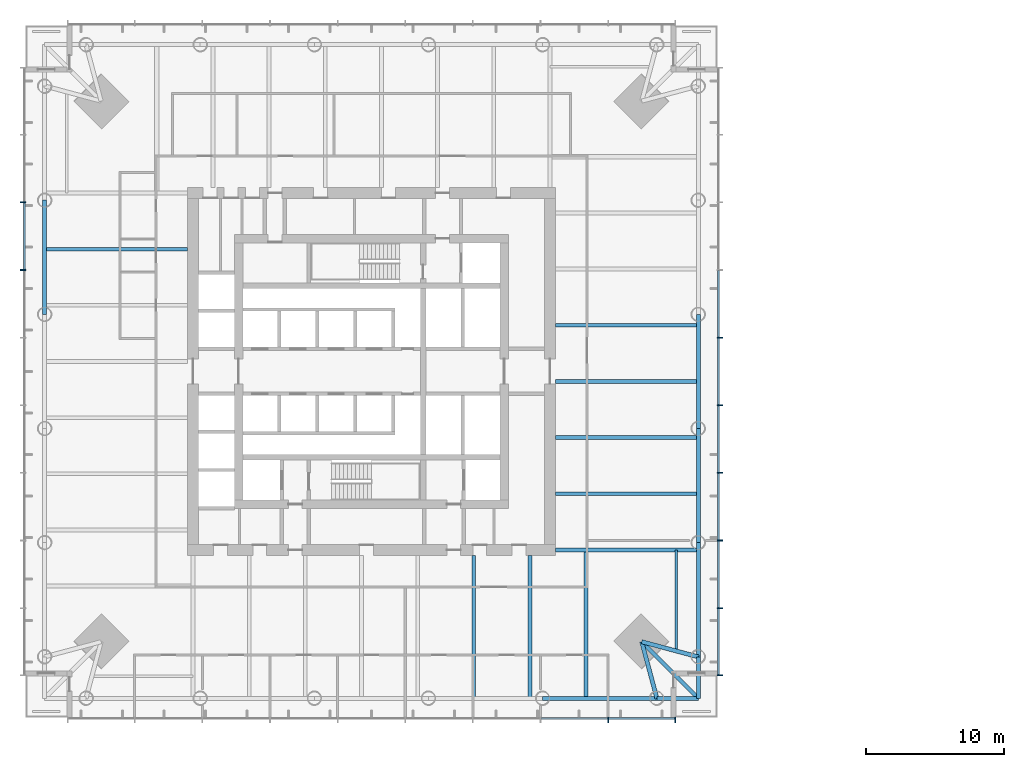
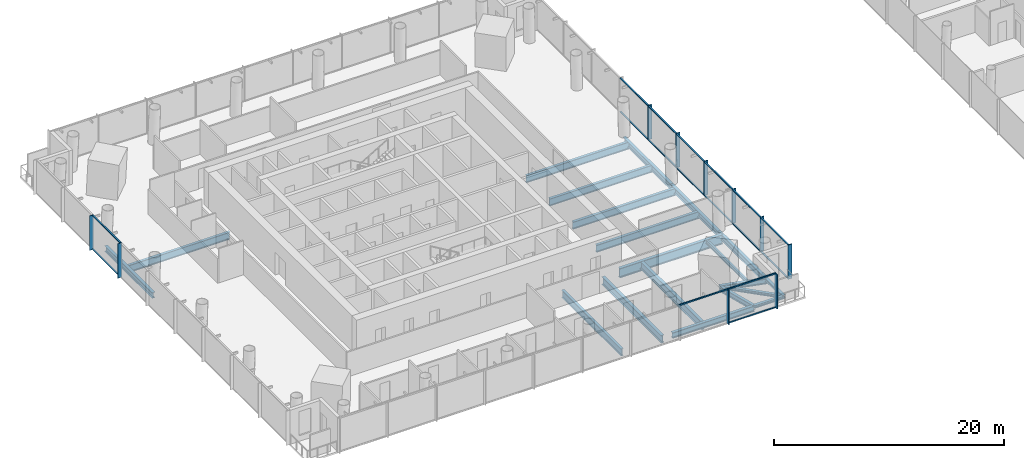
# One storey, part 3 of 21: 27 members, 20 beams, 3 elements without a shape of their own.
"""IFC4 building model written with IfcOpenShell, lengths in metres."""

from ifc_helpers import new_model, si_unit, direction, frame, origin, origin_2d, place, context, subcontext, project, spatial, rectangle, i_section, extrude, material, material_profile, profile_set, type_object, element, aggregate, save


model = new_model("IFC4")

# Units and contexts
model_context = context("Model", 3, precision=1e-05, world=origin(), true_north=direction((0.0, 1.0)))
body_context = subcontext(model_context, "Body", "Model", "MODEL_VIEW")
ifc_project = project(units=[si_unit("LENGTHUNIT", "METRE"), si_unit("AREAUNIT", "SQUARE_METRE"), si_unit("VOLUMEUNIT", "CUBIC_METRE"), si_unit("PLANEANGLEUNIT", "RADIAN"), si_unit("MASSUNIT", "GRAM", prefix="KILO")], contexts=[model_context])

# Site, building, storey
site_placement = place(None, origin())
site = spatial("IfcSite", under=ifc_project, at=site_placement, CompositionType="ELEMENT")
building_placement = place(site_placement, origin())
building = spatial("IfcBuilding", under=site, at=building_placement, Name="Ostroluk Exchange", CompositionType="ELEMENT")
storey_placement = place(building_placement, frame((0.0, 0.0, 32.39990234375)))
storey = spatial("IfcBuildingStorey", under=building, at=storey_placement, Name="L07", CompositionType="ELEMENT", Elevation=32.39990234375)

# Beams
ifc_material_1 = material(Name="Steel S355", Category="steel")
ifc_material_profile_1 = material_profile(ifc_material_1, i_section(OverallWidth=0.300048828125, OverallDepth=0.300048828125, WebThickness=0.010986328125, FlangeThickness=0.01904296875, FilletRadius=0.027099609375, at=origin_2d()), Name="HEB 300")
ifc_profile_set_1 = profile_set([ifc_material_profile_1], Name="Steel S355")
beam_type_1 = type_object("IfcBeamType", Name="Balcony beam HEB 300", PredefinedType="BEAM", material=ifc_profile_set_1)
for number, where, z_axis, x_axis, name in (
    (1, (65.6357421875, 22.3642578125, -0.329833984375), (1.0, 0.0, 0.0), (0.0, 1.0, 0.0), "T1 south balcony beam a"),
    (2, (68.6357421875, 25.3642578125, -0.329833984375), (0.0, -1.0, 0.0), (1.0, 0.0, 0.0), "T1 south balcony beam b"),
):
    element("IfcBeam", number, at=place(storey_placement, frame(where, z_axis=z_axis, x_axis=x_axis)), inside=storey, type_object=beam_type_1, Name=name, PredefinedType="BEAM", context=body_context, shape_type="SweptSolid", body=[
        extrude(i_section(OverallWidth=0.300048828125, OverallDepth=0.300048828125, WebThickness=0.010986328125, FlangeThickness=0.01904296875, FilletRadius=0.027099609375, at=origin_2d()), origin(), (0.0, 0.0, 1.0), 3.0),
    ])
beam_1_placement = place(storey_placement, frame((64.53564453125, 26.46435546875, -0.329833984375), z_axis=(0.707106781187, -0.707106781187, 0.0), x_axis=(0.707106781187, 0.707106781187, 0.0)))
element("IfcBeam", 3, at=beam_1_placement, inside=storey, type_object=beam_type_1, Name="T1 south balcony beam c", PredefinedType="BEAM", context=body_context, shape_type="SweptSolid", body=[
    extrude(i_section(OverallWidth=0.300048828125, OverallDepth=0.300048828125, WebThickness=0.010986328125, FlangeThickness=0.01904296875, FilletRadius=0.027099609375, at=origin_2d()), origin(), (0.0, 0.0, 1.0), 5.79833984375),
])
ifc_material_2 = material(Name="Steel S355", Category="steel")
ifc_material_profile_2 = material_profile(ifc_material_2, i_section(OverallWidth=0.300048828125, OverallDepth=0.550048828125, WebThickness=0.014892578125, FlangeThickness=0.029052734375, FilletRadius=0.027099609375, at=origin_2d()), Name="HEB 550")
ifc_profile_set_2 = profile_set([ifc_material_profile_2], Name="Steel S355")
beam_type_2 = type_object("IfcBeamType", Name="Corner edge beam HEB 550", PredefinedType="SPANDREL", material=ifc_profile_set_2)
for number, where, z_axis, x_axis, name in (
    (4, (64.53564453125, 26.46435546875, -0.454833984375), (0.259144268261, -0.965838624319, 0.0), (0.965838624319, 0.259144268261, 0.0), "T1 south corner edge beam a"),
    (5, (64.53564453125, 26.46435546875, -0.454833984375), (0.965838624319, -0.259144268261, 0.0), (0.259144268261, 0.965838624319, 0.0), "T1 south corner edge beam b"),
):
    element("IfcBeam", number, at=place(storey_placement, frame(where, z_axis=z_axis, x_axis=x_axis)), inside=storey, type_object=beam_type_2, Name=name, PredefinedType="SPANDREL", context=body_context, shape_type="SweptSolid", body=[
        extrude(i_section(OverallWidth=0.300048828125, OverallDepth=0.550048828125, WebThickness=0.014892578125, FlangeThickness=0.029052734375, FilletRadius=0.027099609375, at=origin_2d()), origin(), (0.0, 0.0, 1.0), 4.2451171875),
    ])
ifc_material_3 = material(Name="Steel S355", Category="steel")
ifc_material_profile_3 = material_profile(ifc_material_3, i_section(OverallWidth=0.302978515625, OverallDepth=0.81396484375, WebThickness=0.02099609375, FlangeThickness=0.0400390625, FilletRadius=0.030029296875, at=origin_2d()), Name="HEM 800")
ifc_profile_set_3 = profile_set([ifc_material_profile_3], Name="Steel S355")
beam_type_3 = type_object("IfcBeamType", Name="Floor beam HEM 800", PredefinedType="BEAM", material=ifc_profile_set_3)
beam_2_placement = place(storey_placement, frame((56.45703125, 32.699951171875, -0.5869140625), z_axis=(0.0, -1.0, 0.0), x_axis=(1.0, 0.0, 0.0)))
element("IfcBeam", 6, at=beam_2_placement, inside=storey, type_object=beam_type_3, Name="T1 south floor beam 6", PredefinedType="BEAM", context=body_context, shape_type="SweptSolid", body=[
    extrude(i_section(OverallWidth=0.302978515625, OverallDepth=0.81396484375, WebThickness=0.02099609375, FlangeThickness=0.0400390625, FilletRadius=0.030029296875, at=origin_2d()), origin(), (0.0, 0.0, 1.0), 10.335693359375),
])
beam_3_placement = place(storey_placement, frame((60.5166015625, 33.10009765625, -0.5869140625), z_axis=(0.0, -1.0, 0.0), x_axis=(1.0, 0.0, 0.0)))
element("IfcBeam", 7, at=beam_3_placement, inside=storey, type_object=beam_type_3, Name="T1 south floor beam 7", PredefinedType="BEAM", context=body_context, shape_type="SweptSolid", body=[
    extrude(i_section(OverallWidth=0.302978515625, OverallDepth=0.81396484375, WebThickness=0.02099609375, FlangeThickness=0.0400390625, FilletRadius=0.030029296875, at=origin_2d()), origin(), (0.0, 0.0, 1.0), 10.73583984375),
])
ifc_material_4 = material(Name="Steel S355", Category="steel")
ifc_material_profile_4 = material_profile(ifc_material_4, i_section(OverallWidth=0.179931640625, OverallDepth=0.39990234375, WebThickness=0.008544921875, FlangeThickness=0.013427734375, FilletRadius=0.02099609375, at=origin_2d()), Name="IPE 400")
ifc_profile_set_4 = profile_set([ifc_material_profile_4], Name="Steel S355")
beam_type_4 = type_object("IfcBeamType", Name="Floor beam IPE 400", PredefinedType="BEAM", material=ifc_profile_set_4)
beam_4_placement = place(storey_placement, frame((67.03564453125, 33.10009765625, -0.3798828125), z_axis=(0.0, -1.0, 0.0), x_axis=(1.0, 0.0, 0.0)))
element("IfcBeam", 8, at=beam_4_placement, inside=storey, type_object=beam_type_4, Name="T1 south floor beam 8", PredefinedType="BEAM", context=body_context, shape_type="SweptSolid", body=[
    extrude(i_section(OverallWidth=0.179931640625, OverallDepth=0.39990234375, WebThickness=0.008544921875, FlangeThickness=0.013427734375, FilletRadius=0.02099609375, at=origin_2d()), origin(), (0.0, 0.0, 1.0), 7.306640625),
])
ifc_material_5 = material(Name="Steel S355", Category="steel")
ifc_material_profile_5 = material_profile(ifc_material_5, i_section(OverallWidth=0.26806640625, OverallDepth=0.77001953125, WebThickness=0.015625, FlangeThickness=0.025390625, FilletRadius=0.01708984375, at=origin_2d()), Name="IPE 750x196")
ifc_profile_set_5 = profile_set([ifc_material_profile_5], Name="Steel S355")
beam_type_5 = type_object("IfcBeamType", Name="Floor beam IPE 750x196", PredefinedType="BEAM", material=ifc_profile_set_5)
for number, where, z_axis, x_axis, name in (
    (9, (58.300048828125, 37.159423828125, -0.56494140625), (1.0, 0.0, 0.0), (0.0, 1.0, 0.0), "T1 east floor beam 1"),
    (10, (58.300048828125, 41.218994140625, -0.56494140625), (1.0, 0.0, 0.0), (0.0, 1.0, 0.0), "T1 east floor beam 2"),
    (11, (58.300048828125, 45.278564453125, -0.56494140625), (1.0, 0.0, 0.0), (0.0, 1.0, 0.0), "T1 east floor beam 3"),
    (12, (58.300048828125, 49.338134765625, -0.56494140625), (1.0, 0.0, 0.0), (0.0, 1.0, 0.0), "T1 east floor beam 4"),
    (13, (31.699951171875, 54.840576171875, -0.56494140625), (-1.0, 0.0, 0.0), (0.0, -1.0, 0.0), "T1 west floor beam 1"),
    (14, (52.397705078125, 32.699951171875, -0.56494140625), (0.0, -1.0, 0.0), (1.0, 0.0, 0.0), "T1 south floor beam 5"),
):
    element("IfcBeam", number, at=place(storey_placement, frame(where, z_axis=z_axis, x_axis=x_axis)), inside=storey, type_object=beam_type_5, Name=name, PredefinedType="BEAM", context=body_context, shape_type="SweptSolid", body=[
        extrude(i_section(OverallWidth=0.26806640625, OverallDepth=0.77001953125, WebThickness=0.015625, FlangeThickness=0.025390625, FilletRadius=0.01708984375, at=origin_2d()), origin(), (0.0, 0.0, 1.0), 10.335693359375),
    ])
ifc_material_6 = material(Name="Steel S355", Category="steel")
ifc_material_profile_6 = material_profile(ifc_material_6, i_section(OverallWidth=0.302001953125, OverallDepth=1.008056640625, WebThickness=0.02099609375, FlangeThickness=0.0400390625, FilletRadius=0.030029296875, at=origin_2d()), Name="HEM 1000")
ifc_profile_set_6 = profile_set([ifc_material_profile_6], Name="Steel S355")
beam_type_6 = type_object("IfcBeamType", Name="Girder HEM 1000", PredefinedType="BEAM", material=ifc_profile_set_6)
beam_5_placement = place(storey_placement, frame((58.300048828125, 33.10009765625, -0.683837890625), z_axis=(1.0, 0.0, 0.0), x_axis=(0.0, 1.0, 0.0)))
element("IfcBeam", 15, at=beam_5_placement, inside=storey, type_object=beam_type_6, Name="T1 south girder", PredefinedType="BEAM", context=body_context, shape_type="SweptSolid", body=[
    extrude(i_section(OverallWidth=0.302001953125, OverallDepth=1.008056640625, WebThickness=0.02099609375, FlangeThickness=0.0400390625, FilletRadius=0.030029296875, at=origin_2d()), origin(), (0.0, 0.0, 1.0), 10.335693359375),
])
ifc_material_7 = material(Name="Steel S355", Category="steel")
ifc_material_profile_7 = material_profile(ifc_material_7, i_section(OverallWidth=0.300048828125, OverallDepth=0.60009765625, WebThickness=0.015380859375, FlangeThickness=0.030029296875, FilletRadius=0.027099609375, at=origin_2d()), Name="HEB 600")
ifc_profile_set_7 = profile_set([ifc_material_profile_7], Name="Steel S355")
beam_type_7 = type_object("IfcBeamType", Name="Moment-connected edge beam HEB 600", PredefinedType="SPANDREL", material=ifc_profile_set_7)
beam_6_placement = place(storey_placement, frame((68.6357421875, 25.3642578125, -0.47998046875), z_axis=(0.0, 1.0, 0.0), x_axis=(-1.0, 0.0, 0.0)))
element("IfcBeam", 16, at=beam_6_placement, inside=storey, type_object=beam_type_7, Name="T1 east edge beam 1", PredefinedType="SPANDREL", context=body_context, shape_type="SweptSolid", body=[
    extrude(i_section(OverallWidth=0.300048828125, OverallDepth=0.60009765625, WebThickness=0.015380859375, FlangeThickness=0.030029296875, FilletRadius=0.027099609375, at=origin_2d()), origin(), (0.0, 0.0, 1.0), 8.25439453125),
])
beam_7_placement = place(storey_placement, frame((68.6357421875, 33.61865234375, -0.47998046875), z_axis=(0.0, 1.0, 0.0), x_axis=(-1.0, 0.0, 0.0)))
element("IfcBeam", 17, at=beam_7_placement, inside=storey, type_object=beam_type_7, Name="T1 east edge beam 2", PredefinedType="SPANDREL", context=body_context, shape_type="SweptSolid", body=[
    extrude(i_section(OverallWidth=0.300048828125, OverallDepth=0.60009765625, WebThickness=0.015380859375, FlangeThickness=0.030029296875, FilletRadius=0.027099609375, at=origin_2d()), origin(), (0.0, 0.0, 1.0), 8.254150390625),
])
beam_8_placement = place(storey_placement, frame((68.6357421875, 41.872802734375, -0.47998046875), z_axis=(0.0, 1.0, 0.0), x_axis=(-1.0, 0.0, 0.0)))
element("IfcBeam", 18, at=beam_8_placement, inside=storey, type_object=beam_type_7, Name="T1 east edge beam 3", PredefinedType="SPANDREL", context=body_context, shape_type="SweptSolid", body=[
    extrude(i_section(OverallWidth=0.300048828125, OverallDepth=0.60009765625, WebThickness=0.015380859375, FlangeThickness=0.030029296875, FilletRadius=0.027099609375, at=origin_2d()), origin(), (0.0, 0.0, 1.0), 8.25439453125),
])
beam_9_placement = place(storey_placement, frame((21.3642578125, 58.38134765625, -0.47998046875), z_axis=(0.0, -1.0, 0.0), x_axis=(1.0, 0.0, 0.0)))
element("IfcBeam", 19, at=beam_9_placement, inside=storey, type_object=beam_type_7, Name="T1 west edge beam 2", PredefinedType="SPANDREL", context=body_context, shape_type="SweptSolid", body=[
    extrude(i_section(OverallWidth=0.300048828125, OverallDepth=0.60009765625, WebThickness=0.015380859375, FlangeThickness=0.030029296875, FilletRadius=0.027099609375, at=origin_2d()), origin(), (0.0, 0.0, 1.0), 8.254150390625),
])
beam_10_placement = place(storey_placement, frame((57.38134765625, 22.3642578125, -0.47998046875), z_axis=(1.0, 0.0, 0.0), x_axis=(0.0, 1.0, 0.0)))
element("IfcBeam", 20, at=beam_10_placement, inside=storey, type_object=beam_type_7, Name="T1 south edge beam 5", PredefinedType="SPANDREL", context=body_context, shape_type="SweptSolid", body=[
    extrude(i_section(OverallWidth=0.300048828125, OverallDepth=0.60009765625, WebThickness=0.015380859375, FlangeThickness=0.030029296875, FilletRadius=0.027099609375, at=origin_2d()), origin(), (0.0, 0.0, 1.0), 8.25439453125),
])

# Curtain wall, members
ifc_material_8 = material(Name="Laminated clear glass", Category="glass")
curtain_wall_type = type_object("IfcCurtainWallType", Name="Office tower facade", PredefinedType="USERDEFINED", material=ifc_material_8)
curtain_wall_1_placement = place(storey_placement, origin())
curtain_wall_1 = element("IfcCurtainWall", 21, at=curtain_wall_1_placement, inside=storey, type_object=curtain_wall_type, Name="Office tower south facade L07", ObjectType="UNITISED CURTAIN WALL", PredefinedType="USERDEFINED")
ifc_material_9 = material(Name="Aluminium mullion", Category="aluminium")
ifc_material_profile_8 = material_profile(ifc_material_9, rectangle(XDim=0.14990234375, YDim=0.080078125, at=origin_2d()), Name="Sill transom 80 x 150")
ifc_profile_set_8 = profile_set([ifc_material_profile_8], Name="Aluminium mullion")
member_type_1 = type_object("IfcMemberType", Name="Sill transom 80 x 150", PredefinedType="USERDEFINED", material=ifc_profile_set_8)
member_1_placement = place(storey_placement, frame((57.26220703125, 20.925048828125, 3.610107421875), z_axis=(1.0, 0.0, 0.0), x_axis=(0.0, 1.0, 0.0)))
member_1 = element("IfcMember", 22, at=member_1_placement, type_object=member_type_1, Name="CW-O1 transom 8.2", ObjectType="TRANSOM", PredefinedType="USERDEFINED", context=body_context, shape_type="SweptSolid", body=[
    extrude(rectangle(XDim=0.14990234375, YDim=0.080078125, at=origin_2d()), origin(), (0.0, 0.0, 1.0), 4.808837890625),
])
member_2_placement = place(storey_placement, frame((62.151123046875, 20.925048828125, 0.0400390625), z_axis=(1.0, 0.0, 0.0), x_axis=(0.0, 1.0, 0.0)))
member_2 = element("IfcMember", 23, at=member_2_placement, type_object=member_type_1, Name="CW-O1 transom 9.1", ObjectType="TRANSOM", PredefinedType="USERDEFINED", context=body_context, shape_type="SweptSolid", body=[
    extrude(rectangle(XDim=0.14990234375, YDim=0.080078125, at=origin_2d()), origin(), (0.0, 0.0, 1.0), 4.768798828125),
])
member_3_placement = place(storey_placement, frame((62.151123046875, 20.925048828125, 3.610107421875), z_axis=(1.0, 0.0, 0.0), x_axis=(0.0, 1.0, 0.0)))
member_3 = element("IfcMember", 24, at=member_3_placement, type_object=member_type_1, Name="CW-O1 transom 9.2", ObjectType="TRANSOM", PredefinedType="USERDEFINED", context=body_context, shape_type="SweptSolid", body=[
    extrude(rectangle(XDim=0.14990234375, YDim=0.080078125, at=origin_2d()), origin(), (0.0, 0.0, 1.0), 4.768798828125),
])

curtain_wall_2_placement = place(storey_placement, origin())
curtain_wall_2 = element("IfcCurtainWall", 25, at=curtain_wall_2_placement, inside=storey, type_object=curtain_wall_type, Name="Office tower east facade L07", ObjectType="UNITISED CURTAIN WALL", PredefinedType="USERDEFINED")
member_4_placement = place(storey_placement, frame((70.074951171875, 24.080078125, 0.0400390625), z_axis=(0.0, 1.0, 0.0), x_axis=(-1.0, 0.0, 0.0)))
member_4 = element("IfcMember", 26, at=member_4_placement, type_object=member_type_1, Name="CW-O1 transom 1.1", ObjectType="TRANSOM", PredefinedType="USERDEFINED", context=body_context, shape_type="SweptSolid", body=[
    extrude(rectangle(XDim=0.14990234375, YDim=0.080078125, at=origin_2d()), origin(), (0.0, 0.0, 1.0), 4.768798828125),
])
member_5_placement = place(storey_placement, frame((70.074951171875, 24.080078125, 3.610107421875), z_axis=(0.0, 1.0, 0.0), x_axis=(-1.0, 0.0, 0.0)))
member_5 = element("IfcMember", 27, at=member_5_placement, type_object=member_type_1, Name="CW-O1 transom 1.2", ObjectType="TRANSOM", PredefinedType="USERDEFINED", context=body_context, shape_type="SweptSolid", body=[
    extrude(rectangle(XDim=0.14990234375, YDim=0.080078125, at=origin_2d()), origin(), (0.0, 0.0, 1.0), 4.768798828125),
])
member_6_placement = place(storey_placement, frame((70.074951171875, 28.928955078125, 0.0400390625), z_axis=(0.0, 1.0, 0.0), x_axis=(-1.0, 0.0, 0.0)))
member_6 = element("IfcMember", 28, at=member_6_placement, type_object=member_type_1, Name="CW-O1 transom 2.1", ObjectType="TRANSOM", PredefinedType="USERDEFINED", context=body_context, shape_type="SweptSolid", body=[
    extrude(rectangle(XDim=0.14990234375, YDim=0.080078125, at=origin_2d()), origin(), (0.0, 0.0, 1.0), 4.808837890625),
])
member_7_placement = place(storey_placement, frame((70.074951171875, 28.928955078125, 3.610107421875), z_axis=(0.0, 1.0, 0.0), x_axis=(-1.0, 0.0, 0.0)))
member_7 = element("IfcMember", 29, at=member_7_placement, type_object=member_type_1, Name="CW-O1 transom 2.2", ObjectType="TRANSOM", PredefinedType="USERDEFINED", context=body_context, shape_type="SweptSolid", body=[
    extrude(rectangle(XDim=0.14990234375, YDim=0.080078125, at=origin_2d()), origin(), (0.0, 0.0, 1.0), 4.808837890625),
])
member_8_placement = place(storey_placement, frame((70.074951171875, 33.81787109375, 0.0400390625), z_axis=(0.0, 1.0, 0.0), x_axis=(-1.0, 0.0, 0.0)))
member_8 = element("IfcMember", 30, at=member_8_placement, type_object=member_type_1, Name="CW-O1 transom 3.1", ObjectType="TRANSOM", PredefinedType="USERDEFINED", context=body_context, shape_type="SweptSolid", body=[
    extrude(rectangle(XDim=0.14990234375, YDim=0.080078125, at=origin_2d()), origin(), (0.0, 0.0, 1.0), 4.808837890625),
])
member_9_placement = place(storey_placement, frame((70.074951171875, 33.81787109375, 3.610107421875), z_axis=(0.0, 1.0, 0.0), x_axis=(-1.0, 0.0, 0.0)))
member_9 = element("IfcMember", 31, at=member_9_placement, type_object=member_type_1, Name="CW-O1 transom 3.2", ObjectType="TRANSOM", PredefinedType="USERDEFINED", context=body_context, shape_type="SweptSolid", body=[
    extrude(rectangle(XDim=0.14990234375, YDim=0.080078125, at=origin_2d()), origin(), (0.0, 0.0, 1.0), 4.808837890625),
])
member_10_placement = place(storey_placement, frame((70.074951171875, 38.706787109375, 0.0400390625), z_axis=(0.0, 1.0, 0.0), x_axis=(-1.0, 0.0, 0.0)))
member_10 = element("IfcMember", 32, at=member_10_placement, type_object=member_type_1, Name="CW-O1 transom 4.1", ObjectType="TRANSOM", PredefinedType="USERDEFINED", context=body_context, shape_type="SweptSolid", body=[
    extrude(rectangle(XDim=0.14990234375, YDim=0.080078125, at=origin_2d()), origin(), (0.0, 0.0, 1.0), 4.808837890625),
])
member_11_placement = place(storey_placement, frame((70.074951171875, 38.706787109375, 3.610107421875), z_axis=(0.0, 1.0, 0.0), x_axis=(-1.0, 0.0, 0.0)))
member_11 = element("IfcMember", 33, at=member_11_placement, type_object=member_type_1, Name="CW-O1 transom 4.2", ObjectType="TRANSOM", PredefinedType="USERDEFINED", context=body_context, shape_type="SweptSolid", body=[
    extrude(rectangle(XDim=0.14990234375, YDim=0.080078125, at=origin_2d()), origin(), (0.0, 0.0, 1.0), 4.808837890625),
])
member_12_placement = place(storey_placement, frame((70.074951171875, 43.595458984375, 0.0400390625), z_axis=(0.0, 1.0, 0.0), x_axis=(-1.0, 0.0, 0.0)))
member_12 = element("IfcMember", 34, at=member_12_placement, type_object=member_type_1, Name="CW-O1 transom 5.1", ObjectType="TRANSOM", PredefinedType="USERDEFINED", context=body_context, shape_type="SweptSolid", body=[
    extrude(rectangle(XDim=0.14990234375, YDim=0.080078125, at=origin_2d()), origin(), (0.0, 0.0, 1.0), 4.80908203125),
])
member_13_placement = place(storey_placement, frame((70.074951171875, 43.595458984375, 3.610107421875), z_axis=(0.0, 1.0, 0.0), x_axis=(-1.0, 0.0, 0.0)))
member_13 = element("IfcMember", 35, at=member_13_placement, type_object=member_type_1, Name="CW-O1 transom 5.2", ObjectType="TRANSOM", PredefinedType="USERDEFINED", context=body_context, shape_type="SweptSolid", body=[
    extrude(rectangle(XDim=0.14990234375, YDim=0.080078125, at=origin_2d()), origin(), (0.0, 0.0, 1.0), 4.80908203125),
])
member_14_placement = place(storey_placement, frame((70.074951171875, 48.484375, 0.0400390625), z_axis=(0.0, 1.0, 0.0), x_axis=(-1.0, 0.0, 0.0)))
member_14 = element("IfcMember", 36, at=member_14_placement, type_object=member_type_1, Name="CW-O1 transom 6.1", ObjectType="TRANSOM", PredefinedType="USERDEFINED", context=body_context, shape_type="SweptSolid", body=[
    extrude(rectangle(XDim=0.14990234375, YDim=0.080078125, at=origin_2d()), origin(), (0.0, 0.0, 1.0), 4.808837890625),
])
member_15_placement = place(storey_placement, frame((70.074951171875, 48.484375, 3.610107421875), z_axis=(0.0, 1.0, 0.0), x_axis=(-1.0, 0.0, 0.0)))
member_15 = element("IfcMember", 37, at=member_15_placement, type_object=member_type_1, Name="CW-O1 transom 6.2", ObjectType="TRANSOM", PredefinedType="USERDEFINED", context=body_context, shape_type="SweptSolid", body=[
    extrude(rectangle(XDim=0.14990234375, YDim=0.080078125, at=origin_2d()), origin(), (0.0, 0.0, 1.0), 4.808837890625),
])

curtain_wall_3_placement = place(storey_placement, origin())
curtain_wall_3 = element("IfcCurtainWall", 38, at=curtain_wall_3_placement, inside=storey, type_object=curtain_wall_type, Name="Office tower west facade L07", ObjectType="UNITISED CURTAIN WALL", PredefinedType="USERDEFINED")
member_16_placement = place(storey_placement, frame((19.925048828125, 58.18212890625, 0.0400390625), z_axis=(0.0, -1.0, 0.0), x_axis=(1.0, 0.0, 0.0)))
member_16 = element("IfcMember", 39, at=member_16_placement, type_object=member_type_1, Name="CW-O1 transom 3.1", ObjectType="TRANSOM", PredefinedType="USERDEFINED", context=body_context, shape_type="SweptSolid", body=[
    extrude(rectangle(XDim=0.14990234375, YDim=0.080078125, at=origin_2d()), origin(), (0.0, 0.0, 1.0), 4.808837890625),
])
member_17_placement = place(storey_placement, frame((19.925048828125, 58.18212890625, 3.610107421875), z_axis=(0.0, -1.0, 0.0), x_axis=(1.0, 0.0, 0.0)))
member_17 = element("IfcMember", 40, at=member_17_placement, type_object=member_type_1, Name="CW-O1 transom 3.2", ObjectType="TRANSOM", PredefinedType="USERDEFINED", context=body_context, shape_type="SweptSolid", body=[
    extrude(rectangle(XDim=0.14990234375, YDim=0.080078125, at=origin_2d()), origin(), (0.0, 0.0, 1.0), 4.808837890625),
])

# Member
ifc_material_10 = material(Name="Aluminium mullion with limestone facing", Category="masonry")
ifc_material_profile_9 = material_profile(ifc_material_10, rectangle(XDim=0.39990234375, YDim=0.080078125, at=origin_2d()), Name="Tracery mullion 80 x 400")
ifc_profile_set_9 = profile_set([ifc_material_profile_9], Name="Aluminium mullion with limestone facing")
member_type_2 = type_object("IfcMemberType", Name="Tracery mullion 80 x 400", PredefinedType="MULLION", material=ifc_profile_set_9)
member_18_placement = place(storey_placement, frame((62.111083984375, 20.800048828125, 0.0), z_axis=(0.0, 0.0, 1.0), x_axis=(0.0, 1.0, 0.0)))
member_18 = element("IfcMember", 41, at=member_18_placement, type_object=member_type_2, Name="CW-O1 mullion 9", PredefinedType="MULLION", context=body_context, shape_type="SweptSolid", body=[
    extrude(rectangle(XDim=0.39990234375, YDim=0.080078125, at=origin_2d()), origin(), (0.0, 0.0, 1.0), 3.650146484375),
])

member_19_placement = place(storey_placement, frame((66.9599609375, 20.800048828125, 0.0), z_axis=(0.0, 0.0, 1.0), x_axis=(0.0, 1.0, 0.0)))
member_19 = element("IfcMember", 42, at=member_19_placement, type_object=member_type_2, Name="CW-O1 mullion 10", PredefinedType="MULLION", context=body_context, shape_type="SweptSolid", body=[
    extrude(rectangle(XDim=0.39990234375, YDim=0.080078125, at=origin_2d()), origin(), (0.0, 0.0, 1.0), 3.650146484375),
])

aggregate(curtain_wall_1, [member_18, member_19, member_1, member_2, member_3])

member_20_placement = place(storey_placement, frame((70.199951171875, 24.0400390625, 0.0), z_axis=(0.0, 0.0, 1.0), x_axis=(-1.0, 0.0, 0.0)))
member_20 = element("IfcMember", 43, at=member_20_placement, type_object=member_type_2, Name="CW-O1 mullion 1", PredefinedType="MULLION", context=body_context, shape_type="SweptSolid", body=[
    extrude(rectangle(XDim=0.39990234375, YDim=0.080078125, at=origin_2d()), origin(), (0.0, 0.0, 1.0), 3.650146484375),
])

member_21_placement = place(storey_placement, frame((70.199951171875, 28.888916015625, 0.0), z_axis=(0.0, 0.0, 1.0), x_axis=(-1.0, 0.0, 0.0)))
member_21 = element("IfcMember", 44, at=member_21_placement, type_object=member_type_2, Name="CW-O1 mullion 2", PredefinedType="MULLION", context=body_context, shape_type="SweptSolid", body=[
    extrude(rectangle(XDim=0.39990234375, YDim=0.080078125, at=origin_2d()), origin(), (0.0, 0.0, 1.0), 3.650146484375),
])

member_22_placement = place(storey_placement, frame((70.199951171875, 33.77783203125, 0.0), z_axis=(0.0, 0.0, 1.0), x_axis=(-1.0, 0.0, 0.0)))
member_22 = element("IfcMember", 45, at=member_22_placement, type_object=member_type_2, Name="CW-O1 mullion 3", PredefinedType="MULLION", context=body_context, shape_type="SweptSolid", body=[
    extrude(rectangle(XDim=0.39990234375, YDim=0.080078125, at=origin_2d()), origin(), (0.0, 0.0, 1.0), 3.650146484375),
])

member_23_placement = place(storey_placement, frame((70.199951171875, 38.666748046875, 0.0), z_axis=(0.0, 0.0, 1.0), x_axis=(-1.0, 0.0, 0.0)))
member_23 = element("IfcMember", 46, at=member_23_placement, type_object=member_type_2, Name="CW-O1 mullion 4", PredefinedType="MULLION", context=body_context, shape_type="SweptSolid", body=[
    extrude(rectangle(XDim=0.39990234375, YDim=0.080078125, at=origin_2d()), origin(), (0.0, 0.0, 1.0), 3.650146484375),
])

member_24_placement = place(storey_placement, frame((70.199951171875, 43.5556640625, 0.0), z_axis=(0.0, 0.0, 1.0), x_axis=(-1.0, 0.0, 0.0)))
member_24 = element("IfcMember", 47, at=member_24_placement, type_object=member_type_2, Name="CW-O1 mullion 5", PredefinedType="MULLION", context=body_context, shape_type="SweptSolid", body=[
    extrude(rectangle(XDim=0.39990234375, YDim=0.080078125, at=origin_2d()), origin(), (0.0, 0.0, 1.0), 3.650146484375),
])

member_25_placement = place(storey_placement, frame((70.199951171875, 48.4443359375, 0.0), z_axis=(0.0, 0.0, 1.0), x_axis=(-1.0, 0.0, 0.0)))
member_25 = element("IfcMember", 48, at=member_25_placement, type_object=member_type_2, Name="CW-O1 mullion 6", PredefinedType="MULLION", context=body_context, shape_type="SweptSolid", body=[
    extrude(rectangle(XDim=0.39990234375, YDim=0.080078125, at=origin_2d()), origin(), (0.0, 0.0, 1.0), 3.650146484375),
])

aggregate(curtain_wall_2, [member_20, member_21, member_22, member_23, member_24, member_25, member_4, member_5, member_6, member_7, member_8, member_9, member_10, member_11, member_12, member_13, member_14, member_15])

member_26_placement = place(storey_placement, frame((19.800048828125, 58.22216796875, 0.0), z_axis=(0.0, 0.0, 1.0), x_axis=(1.0, 0.0, 0.0)))
member_26 = element("IfcMember", 49, at=member_26_placement, type_object=member_type_2, Name="CW-O1 mullion 3", PredefinedType="MULLION", context=body_context, shape_type="SweptSolid", body=[
    extrude(rectangle(XDim=0.39990234375, YDim=0.080078125, at=origin_2d()), origin(), (0.0, 0.0, 1.0), 3.650146484375),
])

member_27_placement = place(storey_placement, frame((19.800048828125, 53.333251953125, 0.0), z_axis=(0.0, 0.0, 1.0), x_axis=(1.0, 0.0, 0.0)))
member_27 = element("IfcMember", 50, at=member_27_placement, type_object=member_type_2, Name="CW-O1 mullion 4", PredefinedType="MULLION", context=body_context, shape_type="SweptSolid", body=[
    extrude(rectangle(XDim=0.39990234375, YDim=0.080078125, at=origin_2d()), origin(), (0.0, 0.0, 1.0), 3.650146484375),
])

aggregate(curtain_wall_3, [member_26, member_27, member_16, member_17])

save(model, "model.ifc")
